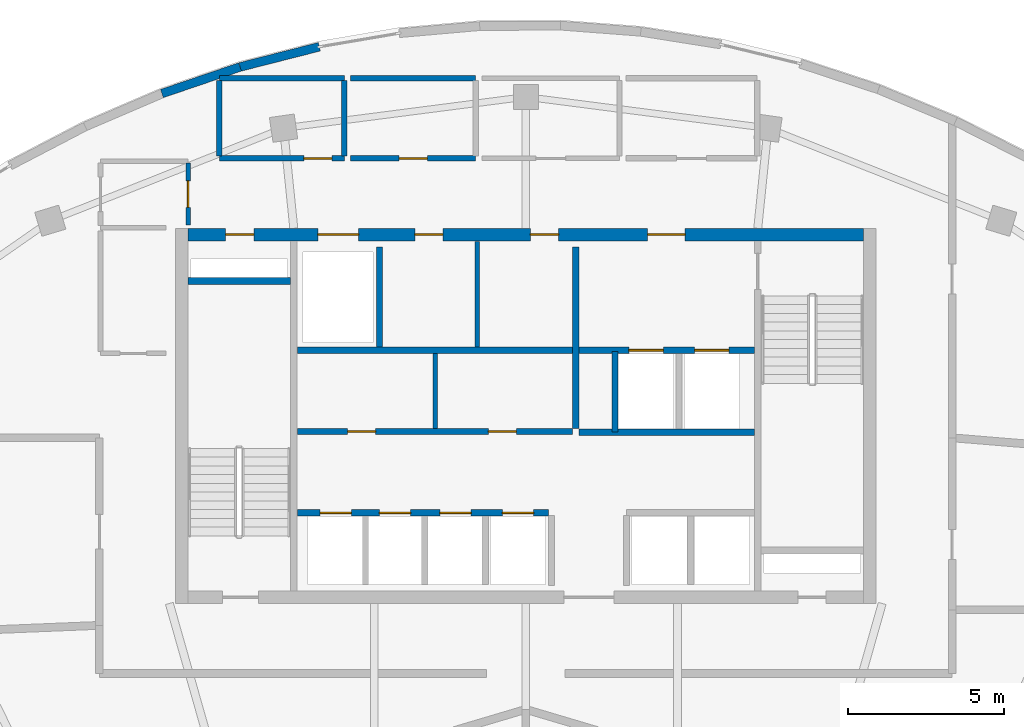
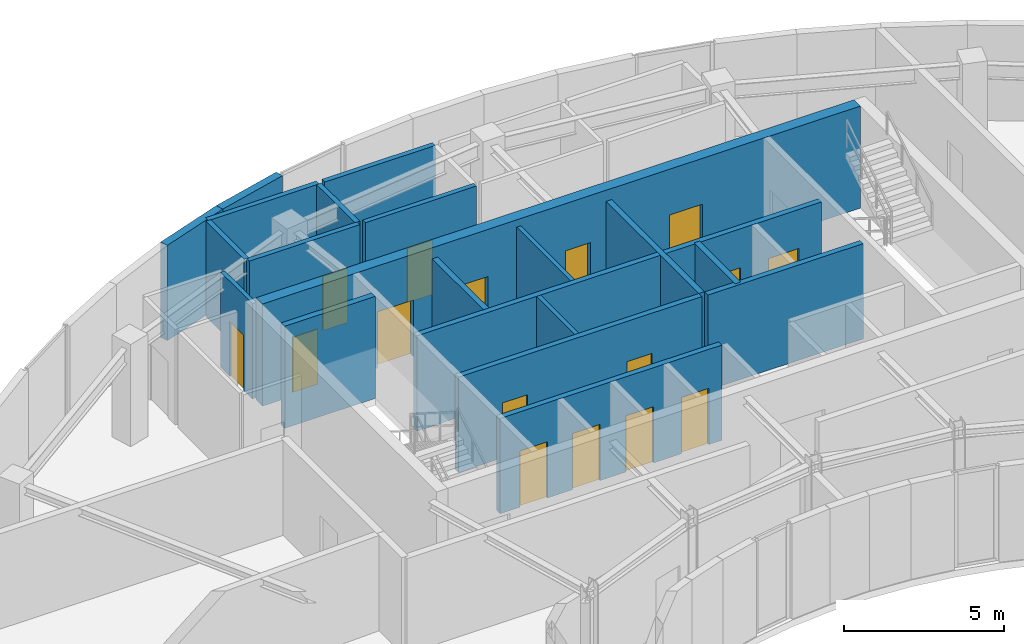
# One storey, part 6 of 9: 21 walls, 16 doors, 16 openings.
"""IFC4 building model written with IfcOpenShell, lengths in metres."""

from ifc_helpers import new_model, si_unit, direction, frame, frame_2d, origin, place, context, subcontext, project, spatial, rectangle, extrude, source, transform, mapped, material, layer, layer_set, type_object, type_shapes, element, fill, save


model = new_model("IFC4")

# Units and contexts
model_context = context("Model", 3, precision=1e-05, world=origin(), true_north=direction((0.0, 1.0)))
body_context = subcontext(model_context, "Body", "Model", "MODEL_VIEW")
ifc_project = project(units=[si_unit("LENGTHUNIT", "METRE"), si_unit("AREAUNIT", "SQUARE_METRE"), si_unit("VOLUMEUNIT", "CUBIC_METRE"), si_unit("PLANEANGLEUNIT", "RADIAN"), si_unit("MASSUNIT", "GRAM", prefix="KILO")], contexts=[model_context])

# Site, building, storey
site_placement = place(None, origin())
site = spatial("IfcSite", under=ifc_project, at=site_placement, CompositionType="ELEMENT")
building_placement = place(site_placement, origin())
building = spatial("IfcBuilding", under=site, at=building_placement, Name="Breltana Convention Tower", CompositionType="ELEMENT")
storey_placement = place(building_placement, frame((0.0, 0.0, 299.10009765625)))
storey = spatial("IfcBuildingStorey", under=building, at=storey_placement, Name="L73", CompositionType="ELEMENT", Elevation=299.10009765625)

# Wall
ifc_material_1 = material(Name="Concrete C50/60", Category="concrete")
ifc_layer_1 = layer(ifc_material_1, 0.39990234375, Name="Concrete C50/60")
ifc_layer_set_1 = layer_set([ifc_layer_1], Name="Concrete C50/60")
wall_type_1 = type_object("IfcWallType", Name="SW-CORE-400", PredefinedType="SHEAR", material=ifc_layer_set_1)
shared_shape_1 = source(origin(), body_context, "Body", "SweptSolid", [
    extrude(rectangle(XDim=3.27001953125, YDim=0.219970703125, at=frame_2d((1.635009765625, 0.0))), origin(), (0.0, 0.0, 1.0), 3.89990234375),
])
wall_1_placement = place(storey_placement, frame((37.199951171875, 70.510009765625, 0.0), z_axis=(0.0, 0.0, 1.0), x_axis=(1.0, 0.0, 0.0)))
element("IfcWall", 1, at=wall_1_placement, inside=storey, type_object=wall_type_1, Name="L73 ST-1 Stairwell North Bearing Wall", PredefinedType="SHEAR", context=body_context, shape_type="MappedRepresentation", body=[
    mapped(shared_shape_1, transform((0.0, 0.0, 0.0), scale=1.0)),
])

# Wall, openings, doors
shared_shape_2 = source(origin(), body_context, "Body", "SweptSolid", [
    extrude(rectangle(XDim=21.60009765625, YDim=0.39990234375, at=frame_2d((10.800048828125, 0.0))), origin(), (0.0, 0.0, 1.0), 3.89990234375),
])
wall_2_placement = place(storey_placement, frame((37.199951171875, 72.0, 0.0), z_axis=(0.0, 0.0, 1.0), x_axis=(1.0, 0.0, 0.0)))
wall_2 = element("IfcWall", 2, at=wall_2_placement, inside=storey, type_object=wall_type_1, Name="L73 North Core Shear Wall", PredefinedType="SHEAR", context=body_context, shape_type="MappedRepresentation", body=[
    mapped(shared_shape_2, transform((0.0, 0.0, 0.0), scale=1.0)),
])
opening_1_placement = place(wall_2_placement, frame((1.199951171875, 0.0, 0.0)))
opening_1 = element("IfcOpeningElement", 3, at=opening_1_placement, cuts=wall_2, Name="Opening D-18", PredefinedType="OPENING", context=body_context, shape_type="SweptSolid", body=[
    extrude(rectangle(XDim=0.89990234375, YDim=2.10009765625, at=frame_2d((0.449951171875, 1.050048828125))), frame((0.0, 0.2099609375, 0.0), z_axis=(0.0, -1.0, 0.0), x_axis=(1.0, 0.0, 0.0)), (0.0, 0.0, 1.0), 0.419921875),
])
opening_2_placement = place(wall_2_placement, frame((14.699951171875, 0.0, 0.0)))
opening_2 = element("IfcOpeningElement", 4, at=opening_2_placement, cuts=wall_2, Name="Opening D-09", PredefinedType="OPENING", context=body_context, shape_type="SweptSolid", body=[
    extrude(rectangle(XDim=1.199951171875, YDim=2.14990234375, at=frame_2d((0.60009765625, 1.074951171875))), frame((0.0, 0.2099609375, 0.0), z_axis=(0.0, -1.0, 0.0), x_axis=(1.0, 0.0, 0.0)), (0.0, 0.0, 1.0), 0.419921875),
])
opening_3_placement = place(wall_2_placement, frame((4.14990234375, 0.0, 0.0)))
opening_3 = element("IfcOpeningElement", 5, at=opening_3_placement, cuts=wall_2, Name="Opening LD-01", PredefinedType="OPENING", context=body_context, shape_type="SweptSolid", body=[
    extrude(rectangle(XDim=1.300048828125, YDim=2.14990234375, at=frame_2d((0.64990234375, 1.074951171875))), frame((0.0, 0.2099609375, 0.0), z_axis=(0.0, -1.0, 0.0), x_axis=(1.0, 0.0, 0.0)), (0.0, 0.0, 1.0), 0.419921875),
])
opening_4_placement = place(wall_2_placement, frame((7.25, 0.0, 0.0)))
opening_4 = element("IfcOpeningElement", 6, at=opening_4_placement, cuts=wall_2, Name="Opening D-18", PredefinedType="OPENING", context=body_context, shape_type="SweptSolid", body=[
    extrude(rectangle(XDim=0.89990234375, YDim=2.10009765625, at=frame_2d((0.449951171875, 1.050048828125))), frame((0.0, 0.2099609375, 0.0), z_axis=(0.0, -1.0, 0.0), x_axis=(1.0, 0.0, 0.0)), (0.0, 0.0, 1.0), 0.419921875),
])
opening_5_placement = place(wall_2_placement, frame((10.949951171875, 0.0, 0.0)))
opening_5 = element("IfcOpeningElement", 7, at=opening_5_placement, cuts=wall_2, Name="Opening D-18", PredefinedType="OPENING", context=body_context, shape_type="SweptSolid", body=[
    extrude(rectangle(XDim=0.89990234375, YDim=2.10009765625, at=frame_2d((0.449951171875, 1.050048828125))), frame((0.0, 0.2099609375, 0.0), z_axis=(0.0, -1.0, 0.0), x_axis=(1.0, 0.0, 0.0)), (0.0, 0.0, 1.0), 0.419921875),
])
ifc_material_2 = material(Name="Steel Riser Fire Door", Category="steel")
door_type_1 = type_object("IfcDoorType", Name="DR-FD60-900", OperationType="NOTDEFINED", PredefinedType="DOOR", material=ifc_material_2)
shared_shape_3 = source(origin(), body_context, "Body", "SweptSolid", [
    extrude(rectangle(XDim=0.89990234375, YDim=2.10009765625, at=frame_2d((0.449951171875, 1.050048828125))), frame((0.0, 0.02490234375, 0.0), z_axis=(0.0, -1.0, 0.0), x_axis=(1.0, 0.0, 0.0)), (0.0, 0.0, 1.0), 0.050048828125),
])
type_shapes(door_type_1, [shared_shape_3])
door_1_placement = place(opening_1_placement, origin())
door_1 = element("IfcDoor", 8, at=door_1_placement, inside=storey, type_object=door_type_1, Name="L73 Core Riser Access Door D-L73-RS1", OperationType="SINGLE_SWING_LEFT", OverallHeight=2.10009765625, OverallWidth=0.89990234375, PredefinedType="DOOR", context=body_context, shape_type="MappedRepresentation", body=[
    mapped(shared_shape_3, transform((0.0, 0.0, 0.0), scale=1.0)),
])
fill(opening_1, door_1)
door_2_placement = place(opening_4_placement, origin())
door_2 = element("IfcDoor", 9, at=door_2_placement, inside=storey, type_object=door_type_1, Name="L73 interior door D-L73-CRA1", OperationType="SINGLE_SWING_LEFT", OverallHeight=2.10009765625, OverallWidth=0.89990234375, PredefinedType="DOOR", context=body_context, shape_type="MappedRepresentation", body=[
    mapped(shared_shape_3, transform((0.0, 0.0, 0.0), scale=1.0)),
])
fill(opening_4, door_2)
door_3_placement = place(opening_5_placement, origin())
door_3 = element("IfcDoor", 10, at=door_3_placement, inside=storey, type_object=door_type_1, Name="L73 interior door D-L73-CRA2", OperationType="SINGLE_SWING_RIGHT", OverallHeight=2.10009765625, OverallWidth=0.89990234375, PredefinedType="DOOR", context=body_context, shape_type="MappedRepresentation", body=[
    mapped(shared_shape_3, transform((0.0, 0.0, 0.0), scale=1.0)),
])
fill(opening_5, door_3)
ifc_material_3 = material(Name="Steel Fire Lobby Door", Category="steel")
door_type_2 = type_object("IfcDoorType", Name="DR-FD120-1200", OperationType="NOTDEFINED", PredefinedType="DOOR", material=ifc_material_3)
shared_shape_4 = source(origin(), body_context, "Body", "SweptSolid", [
    extrude(rectangle(XDim=1.199951171875, YDim=2.14990234375, at=frame_2d((0.60009765625, 1.074951171875))), frame((0.0, 0.02490234375, 0.0), z_axis=(0.0, -1.0, 0.0), x_axis=(1.0, 0.0, 0.0)), (0.0, 0.0, 1.0), 0.050048828125),
])
type_shapes(door_type_2, [shared_shape_4])
door_4_placement = place(opening_2_placement, origin())
door_4 = element("IfcDoor", 11, at=door_4_placement, inside=storey, type_object=door_type_2, Name="L73 interior door D-L73-FFL-N", OperationType="SINGLE_SWING_RIGHT", OverallHeight=2.14990234375, OverallWidth=1.199951171875, PredefinedType="DOOR", context=body_context, shape_type="MappedRepresentation", body=[
    mapped(shared_shape_4, transform((0.0, 0.0, 0.0), scale=1.0)),
])
fill(opening_2, door_4)
ifc_material_4 = material(Name="Stainless Steel Brushed", Category="steel")
door_type_3 = type_object("IfcDoorType", Name="DR-LD-SRV-1300", OperationType="DOUBLE_DOOR_SLIDING", PredefinedType="DOOR", material=ifc_material_4)
shared_shape_5 = source(origin(), body_context, "Body", "SweptSolid", [
    extrude(rectangle(XDim=1.300048828125, YDim=2.14990234375, at=frame_2d((0.64990234375, 1.074951171875))), frame((0.0, 0.02490234375, 0.0), z_axis=(0.0, -1.0, 0.0), x_axis=(1.0, 0.0, 0.0)), (0.0, 0.0, 1.0), 0.050048828125),
])
type_shapes(door_type_3, [shared_shape_5])
door_5_placement = place(opening_3_placement, origin())
door_5 = element("IfcDoor", 12, at=door_5_placement, inside=storey, type_object=door_type_3, Name="L73 Lift Landing Door D-L73-LD-SV1", OperationType="DOUBLE_DOOR_SLIDING", OverallHeight=2.14990234375, OverallWidth=1.300048828125, PredefinedType="DOOR", context=body_context, shape_type="MappedRepresentation", body=[
    mapped(shared_shape_5, transform((0.0, 0.0, 0.0), scale=1.0)),
])
fill(opening_3, door_5)

# Walls
ifc_material_5 = material(Name="Limestone Buff Insulated Wall", Category="masonry")
ifc_layer_2 = layer(ifc_material_5, 0.280029296875, Name="Limestone Buff Insulated Wall")
ifc_layer_set_2 = layer_set([ifc_layer_2], Name="Limestone Buff Insulated Wall")
wall_type_2 = type_object("IfcWallType", Name="WL-EXT-NOSE-280", PredefinedType="SOLIDWALL", material=ifc_layer_set_2)
shared_shape_6 = source(origin(), body_context, "Body", "SweptSolid", [
    extrude(rectangle(XDim=2.640380859375, YDim=0.280029296875, at=frame_2d((1.3203125, 0.0))), origin(), (0.0, 0.0, 1.0), 3.639892578125),
])
wall_3_placement = place(storey_placement, frame((36.36376953125, 76.51123046875, 0.0), z_axis=(0.0, 0.0, 1.0), x_axis=(0.946685911962, 0.322158011064, 0.0)))
element("IfcWall", 13, at=wall_3_placement, inside=storey, type_object=wall_type_2, Name="L73 curved limestone nose wall E23", PredefinedType="SOLIDWALL", context=body_context, shape_type="MappedRepresentation", body=[
    mapped(shared_shape_6, transform((0.0, 0.0, 0.0), scale=1.0)),
])
shared_shape_7 = source(origin(), body_context, "Body", "SweptSolid", [
    extrude(rectangle(XDim=2.6142578125, YDim=0.280029296875, at=frame_2d((1.30712890625, 0.0))), origin(), (0.0, 0.0, 1.0), 3.639892578125),
])
wall_4_placement = place(storey_placement, frame((38.86328125, 77.36181640625, 0.0), z_axis=(0.0, 0.0, 1.0), x_axis=(0.969106509315, 0.246642602978, 0.0)))
element("IfcWall", 14, at=wall_4_placement, inside=storey, type_object=wall_type_2, Name="L73 curved limestone nose wall E24", PredefinedType="SOLIDWALL", context=body_context, shape_type="MappedRepresentation", body=[
    mapped(shared_shape_7, transform((0.0, 0.0, 0.0), scale=1.0)),
])

# Wall, openings, doors
ifc_material_6 = material(Name="Autoclaved Aerated Concrete Block", Category="concrete")
ifc_layer_3 = layer(ifc_material_6, 0.199951171875, Name="Autoclaved Aerated Concrete Block")
ifc_layer_set_3 = layer_set([ifc_layer_3], Name="Autoclaved Aerated Concrete Block")
wall_type_3 = type_object("IfcWallType", Name="WL-SHAFT-200", PredefinedType="SOLIDWALL", material=ifc_layer_set_3)
shared_shape_8 = source(origin(), body_context, "Body", "SweptSolid", [
    extrude(rectangle(XDim=5.6201171875, YDim=0.199951171875, at=frame_2d((2.81005859375, 0.0))), origin(), (0.0, 0.0, 1.0), 3.639892578125),
])
wall_5_placement = place(storey_placement, frame((49.699951171875, 68.300048828125, 0.0), z_axis=(0.0, 0.0, 1.0), x_axis=(1.0, 0.0, 0.0)))
wall_5 = element("IfcWall", 15, at=wall_5_placement, inside=storey, type_object=wall_type_3, Name="L73 interior partition W-L73-FFL-S", PredefinedType="SOLIDWALL", context=body_context, shape_type="MappedRepresentation", body=[
    mapped(shared_shape_8, transform((0.0, 0.0, 0.0), scale=1.0)),
])
opening_6_placement = place(wall_5_placement, frame((1.60009765625, 0.0, 0.0)))
opening_6 = element("IfcOpeningElement", 16, at=opening_6_placement, cuts=wall_5, Name="Opening LD-03", PredefinedType="OPENING", context=body_context, shape_type="SweptSolid", body=[
    extrude(rectangle(XDim=1.10009765625, YDim=2.14990234375, at=frame_2d((0.550048828125, 1.074951171875))), frame((0.0, 0.10986328125, 0.0), z_axis=(0.0, -1.0, 0.0), x_axis=(1.0, 0.0, 0.0)), (0.0, 0.0, 1.0), 0.219970703125),
])
opening_7_placement = place(wall_5_placement, frame((3.699951171875, 0.0, 0.0)))
opening_7 = element("IfcOpeningElement", 17, at=opening_7_placement, cuts=wall_5, Name="Opening LD-03", PredefinedType="OPENING", context=body_context, shape_type="SweptSolid", body=[
    extrude(rectangle(XDim=1.10009765625, YDim=2.14990234375, at=frame_2d((0.550048828125, 1.074951171875))), frame((0.0, 0.10986328125, 0.0), z_axis=(0.0, -1.0, 0.0), x_axis=(1.0, 0.0, 0.0)), (0.0, 0.0, 1.0), 0.219970703125),
])
door_type_4 = type_object("IfcDoorType", Name="DR-LD-FF-1100", OperationType="DOUBLE_DOOR_SLIDING", PredefinedType="DOOR", material=ifc_material_4)
shared_shape_9 = source(origin(), body_context, "Body", "SweptSolid", [
    extrude(rectangle(XDim=1.10009765625, YDim=2.14990234375, at=frame_2d((0.550048828125, 1.074951171875))), frame((0.0, 0.02490234375, 0.0), z_axis=(0.0, -1.0, 0.0), x_axis=(1.0, 0.0, 0.0)), (0.0, 0.0, 1.0), 0.050048828125),
])
type_shapes(door_type_4, [shared_shape_9])
door_6_placement = place(opening_6_placement, origin())
door_6 = element("IfcDoor", 18, at=door_6_placement, inside=storey, type_object=door_type_4, Name="L73 Lift Landing Door D-L73-LD-FL1", OperationType="DOUBLE_DOOR_SLIDING", OverallHeight=2.14990234375, OverallWidth=1.10009765625, PredefinedType="DOOR", context=body_context, shape_type="MappedRepresentation", body=[
    mapped(shared_shape_9, transform((0.0, 0.0, 0.0), scale=1.0)),
])
fill(opening_6, door_6)
door_7_placement = place(opening_7_placement, origin())
door_7 = element("IfcDoor", 19, at=door_7_placement, inside=storey, type_object=door_type_4, Name="L73 Lift Landing Door D-L73-LD-FL2", OperationType="DOUBLE_DOOR_SLIDING", OverallHeight=2.14990234375, OverallWidth=1.10009765625, PredefinedType="DOOR", context=body_context, shape_type="MappedRepresentation", body=[
    mapped(shared_shape_9, transform((0.0, 0.0, 0.0), scale=1.0)),
])
fill(opening_7, door_7)

# Walls
wall_6_placement = place(storey_placement, frame((49.699951171875, 65.679931640625, 0.0), z_axis=(0.0, 0.0, 1.0), x_axis=(1.0, 0.0, 0.0)))
element("IfcWall", 20, at=wall_6_placement, inside=storey, type_object=wall_type_3, Name="L73 interior partition W-L73-FL-S", PredefinedType="SOLIDWALL", context=body_context, shape_type="MappedRepresentation", body=[
    mapped(shared_shape_8, transform((0.0, 0.0, 0.0), scale=1.0)),
])
shared_shape_10 = source(origin(), body_context, "Body", "SweptSolid", [
    extrude(rectangle(XDim=5.800048828125, YDim=0.199951171875, at=frame_2d((2.89990234375, 0.0))), origin(), (0.0, 0.0, 1.0), 3.639892578125),
])
wall_7_placement = place(storey_placement, frame((49.60009765625, 65.800048828125, 0.0), z_axis=(0.0, 0.0, 1.0), x_axis=(0.0, 1.0, 0.0)))
element("IfcWall", 21, at=wall_7_placement, inside=storey, type_object=wall_type_3, Name="L73 interior partition W-L73-FFL-W", PredefinedType="SOLIDWALL", context=body_context, shape_type="MappedRepresentation", body=[
    mapped(shared_shape_10, transform((0.0, 0.0, 0.0), scale=1.0)),
])
shared_shape_11 = source(origin(), body_context, "Body", "SweptSolid", [
    extrude(rectangle(XDim=2.580078125, YDim=0.199951171875, at=frame_2d((1.2900390625, 0.0))), origin(), (0.0, 0.0, 1.0), 3.639892578125),
])
wall_8_placement = place(storey_placement, frame((50.85009765625, 65.679931640625, 0.0), z_axis=(0.0, 0.0, 1.0), x_axis=(0.0, 1.0, 0.0)))
element("IfcWall", 22, at=wall_8_placement, inside=storey, type_object=wall_type_3, Name="L73 interior partition W-L73-FL-W", PredefinedType="SOLIDWALL", context=body_context, shape_type="MappedRepresentation", body=[
    mapped(shared_shape_11, transform((0.0, 0.0, 0.0), scale=1.0)),
])
shared_shape_12 = source(origin(), body_context, "Body", "SweptSolid", [
    extrude(rectangle(XDim=3.2001953125, YDim=0.199951171875, at=frame_2d((1.60009765625, 0.0))), origin(), (0.0, 0.0, 1.0), 3.639892578125),
])
wall_9_placement = place(storey_placement, frame((43.320068359375, 68.39990234375, 0.0), z_axis=(0.0, 0.0, 1.0), x_axis=(0.0, 1.0, 0.0)))
element("IfcWall", 23, at=wall_9_placement, inside=storey, type_object=wall_type_3, Name="L73 interior partition W-L73-SV-E", PredefinedType="SOLIDWALL", context=body_context, shape_type="MappedRepresentation", body=[
    mapped(shared_shape_12, transform((0.0, 0.0, 0.0), scale=1.0)),
])
shared_shape_13 = source(origin(), body_context, "Body", "SweptSolid", [
    extrude(rectangle(XDim=8.800048828125, YDim=0.199951171875, at=frame_2d((4.39990234375, 0.0))), origin(), (0.0, 0.0, 1.0), 3.639892578125),
])
wall_10_placement = place(storey_placement, frame((40.699951171875, 68.300048828125, 0.0), z_axis=(0.0, 0.0, 1.0), x_axis=(1.0, 0.0, 0.0)))
element("IfcWall", 24, at=wall_10_placement, inside=storey, type_object=wall_type_3, Name="L73 interior partition W-L73-SV-S", PredefinedType="SOLIDWALL", context=body_context, shape_type="MappedRepresentation", body=[
    mapped(shared_shape_13, transform((0.0, 0.0, 0.0), scale=1.0)),
])

# Wall, openings, doors
wall_11_placement = place(storey_placement, frame((40.699951171875, 65.699951171875, 0.0), z_axis=(0.0, 0.0, 1.0), x_axis=(1.0, 0.0, 0.0)))
wall_11 = element("IfcWall", 25, at=wall_11_placement, inside=storey, type_object=wall_type_3, Name="L73 interior partition W-L73-SH-M-FRONT", PredefinedType="SOLIDWALL", context=body_context, shape_type="MappedRepresentation", body=[
    mapped(shared_shape_13, transform((0.0, 0.0, 0.0), scale=1.0)),
])
opening_8_placement = place(wall_11_placement, frame((1.60009765625, 0.0, 0.0)))
opening_8 = element("IfcOpeningElement", 26, at=opening_8_placement, cuts=wall_11, Name="Opening D-18", PredefinedType="OPENING", context=body_context, shape_type="SweptSolid", body=[
    extrude(rectangle(XDim=0.89990234375, YDim=2.10009765625, at=frame_2d((0.449951171875, 1.050048828125))), frame((0.0, 0.10986328125, 0.0), z_axis=(0.0, -1.0, 0.0), x_axis=(1.0, 0.0, 0.0)), (0.0, 0.0, 1.0), 0.219970703125),
])
opening_9_placement = place(wall_11_placement, frame((6.10009765625, 0.0, 0.0)))
opening_9 = element("IfcOpeningElement", 27, at=opening_9_placement, cuts=wall_11, Name="Opening D-18", PredefinedType="OPENING", context=body_context, shape_type="SweptSolid", body=[
    extrude(rectangle(XDim=0.89990234375, YDim=2.10009765625, at=frame_2d((0.449951171875, 1.050048828125))), frame((0.0, 0.10986328125, 0.0), z_axis=(0.0, -1.0, 0.0), x_axis=(1.0, 0.0, 0.0)), (0.0, 0.0, 1.0), 0.219970703125),
])
door_8_placement = place(opening_8_placement, origin())
door_8 = element("IfcDoor", 28, at=door_8_placement, inside=storey, type_object=door_type_1, Name="L73 interior door D-L73-LV7-B2A", OperationType="SINGLE_SWING_LEFT", OverallHeight=2.10009765625, OverallWidth=0.89990234375, PredefinedType="DOOR", context=body_context, shape_type="MappedRepresentation", body=[
    mapped(shared_shape_3, transform((0.0, 0.0, 0.0), scale=1.0)),
])
fill(opening_8, door_8)
door_9_placement = place(opening_9_placement, origin())
door_9 = element("IfcDoor", 29, at=door_9_placement, inside=storey, type_object=door_type_1, Name="L73 interior door D-L73-LV7-B2B", OperationType="SINGLE_SWING_RIGHT", OverallHeight=2.10009765625, OverallWidth=0.89990234375, PredefinedType="DOOR", context=body_context, shape_type="MappedRepresentation", body=[
    mapped(shared_shape_3, transform((0.0, 0.0, 0.0), scale=1.0)),
])
fill(opening_9, door_9)

shared_shape_14 = source(origin(), body_context, "Body", "SweptSolid", [
    extrude(rectangle(XDim=8.02001953125, YDim=0.199951171875, at=frame_2d((4.010009765625, 0.0))), origin(), (0.0, 0.0, 1.0), 3.639892578125),
])
wall_12_placement = place(storey_placement, frame((40.699951171875, 63.10009765625, 0.0), z_axis=(0.0, 0.0, 1.0), x_axis=(1.0, 0.0, 0.0)))
wall_12 = element("IfcWall", 30, at=wall_12_placement, inside=storey, type_object=wall_type_3, Name="L73 interior partition W-L73-SH-S-FRONT", PredefinedType="SOLIDWALL", context=body_context, shape_type="MappedRepresentation", body=[
    mapped(shared_shape_14, transform((0.0, 0.0, 0.0), scale=1.0)),
])
opening_10_placement = place(wall_12_placement, frame((0.719970703125, 0.0, 0.0)))
opening_10 = element("IfcOpeningElement", 31, at=opening_10_placement, cuts=wall_12, Name="Opening LD-04", PredefinedType="OPENING", context=body_context, shape_type="SweptSolid", body=[
    extrude(rectangle(XDim=1.0, YDim=2.14990234375, at=frame_2d((0.5, 1.074951171875))), frame((0.0, 0.10986328125, 0.0), z_axis=(0.0, -1.0, 0.0), x_axis=(1.0, 0.0, 0.0)), (0.0, 0.0, 1.0), 0.219970703125),
])
opening_11_placement = place(wall_12_placement, frame((2.6201171875, 0.0, 0.0)))
opening_11 = element("IfcOpeningElement", 32, at=opening_11_placement, cuts=wall_12, Name="Opening LD-04", PredefinedType="OPENING", context=body_context, shape_type="SweptSolid", body=[
    extrude(rectangle(XDim=1.0, YDim=2.14990234375, at=frame_2d((0.5, 1.074951171875))), frame((0.0, 0.10986328125, 0.0), z_axis=(0.0, -1.0, 0.0), x_axis=(1.0, 0.0, 0.0)), (0.0, 0.0, 1.0), 0.219970703125),
])
opening_12_placement = place(wall_12_placement, frame((4.550048828125, 0.0, 0.0)))
opening_12 = element("IfcOpeningElement", 33, at=opening_12_placement, cuts=wall_12, Name="Opening LD-04", PredefinedType="OPENING", context=body_context, shape_type="SweptSolid", body=[
    extrude(rectangle(XDim=1.0, YDim=2.14990234375, at=frame_2d((0.5, 1.074951171875))), frame((0.0, 0.10986328125, 0.0), z_axis=(0.0, -1.0, 0.0), x_axis=(1.0, 0.0, 0.0)), (0.0, 0.0, 1.0), 0.219970703125),
])
opening_13_placement = place(wall_12_placement, frame((6.550048828125, 0.0, 0.0)))
opening_13 = element("IfcOpeningElement", 34, at=opening_13_placement, cuts=wall_12, Name="Opening LD-04", PredefinedType="OPENING", context=body_context, shape_type="SweptSolid", body=[
    extrude(rectangle(XDim=1.0, YDim=2.14990234375, at=frame_2d((0.5, 1.074951171875))), frame((0.0, 0.10986328125, 0.0), z_axis=(0.0, -1.0, 0.0), x_axis=(1.0, 0.0, 0.0)), (0.0, 0.0, 1.0), 0.219970703125),
])
door_type_5 = type_object("IfcDoorType", Name="DR-LD-PAX-1000", OperationType="DOUBLE_DOOR_SLIDING", PredefinedType="DOOR", material=ifc_material_4)
shared_shape_15 = source(origin(), body_context, "Body", "SweptSolid", [
    extrude(rectangle(XDim=1.0, YDim=2.14990234375, at=frame_2d((0.5, 1.074951171875))), frame((0.0, 0.02490234375, 0.0), z_axis=(0.0, -1.0, 0.0), x_axis=(1.0, 0.0, 0.0)), (0.0, 0.0, 1.0), 0.050048828125),
])
type_shapes(door_type_5, [shared_shape_15])
door_10_placement = place(opening_10_placement, origin())
door_10 = element("IfcDoor", 35, at=door_10_placement, inside=storey, type_object=door_type_5, Name="L73 Lift Landing Door D-L73-LD-S1", OperationType="DOUBLE_DOOR_SLIDING", OverallHeight=2.14990234375, OverallWidth=1.0, PredefinedType="DOOR", context=body_context, shape_type="MappedRepresentation", body=[
    mapped(shared_shape_15, transform((0.0, 0.0, 0.0), scale=1.0)),
])
fill(opening_10, door_10)
door_11_placement = place(opening_11_placement, origin())
door_11 = element("IfcDoor", 36, at=door_11_placement, inside=storey, type_object=door_type_5, Name="L73 Lift Landing Door D-L73-LD-S2", OperationType="DOUBLE_DOOR_SLIDING", OverallHeight=2.14990234375, OverallWidth=1.0, PredefinedType="DOOR", context=body_context, shape_type="MappedRepresentation", body=[
    mapped(shared_shape_15, transform((0.0, 0.0, 0.0), scale=1.0)),
])
fill(opening_11, door_11)
door_12_placement = place(opening_12_placement, origin())
door_12 = element("IfcDoor", 37, at=door_12_placement, inside=storey, type_object=door_type_5, Name="L73 Lift Landing Door D-L73-LD-S3", OperationType="DOUBLE_DOOR_SLIDING", OverallHeight=2.14990234375, OverallWidth=1.0, PredefinedType="DOOR", context=body_context, shape_type="MappedRepresentation", body=[
    mapped(shared_shape_15, transform((0.0, 0.0, 0.0), scale=1.0)),
])
fill(opening_12, door_12)
door_13_placement = place(opening_13_placement, origin())
door_13 = element("IfcDoor", 38, at=door_13_placement, inside=storey, type_object=door_type_5, Name="L73 Lift Landing Door D-L73-LD-S4", OperationType="DOUBLE_DOOR_SLIDING", OverallHeight=2.14990234375, OverallWidth=1.0, PredefinedType="DOOR", context=body_context, shape_type="MappedRepresentation", body=[
    mapped(shared_shape_15, transform((0.0, 0.0, 0.0), scale=1.0)),
])
fill(opening_13, door_13)

# Wall, opening, door
ifc_material_7 = material(Name="Gypsum Acoustic Drywall Partition")
ifc_layer_4 = layer(ifc_material_7, 0.14990234375, Name="Gypsum Acoustic Drywall Partition")
ifc_layer_set_4 = layer_set([ifc_layer_4], Name="Gypsum Acoustic Drywall Partition")
wall_type_4 = type_object("IfcWallType", Name="WL-PART-150", PredefinedType="PARTITIONING", material=ifc_layer_set_4)
shared_shape_16 = source(origin(), body_context, "Body", "SweptSolid", [
    extrude(rectangle(XDim=1.982421875, YDim=0.14990234375, at=frame_2d((0.9912109375, 0.0))), origin(), (0.0, 0.0, 1.0), 3.639892578125),
])
wall_13_placement = place(storey_placement, frame((37.199951171875, 72.300048828125, 0.0), z_axis=(0.0, 0.0, 1.0), x_axis=(0.0, 1.0, 0.0)))
wall_13 = element("IfcWall", 39, at=wall_13_placement, inside=storey, type_object=wall_type_4, Name="L73 interior partition W-L73-CRNW-E", PredefinedType="PARTITIONING", context=body_context, shape_type="MappedRepresentation", body=[
    mapped(shared_shape_16, transform((0.0, 0.0, 0.0), scale=1.0)),
])
opening_14_placement = place(wall_13_placement, frame((0.56640625, 0.0, 0.0)))
opening_14 = element("IfcOpeningElement", 40, at=opening_14_placement, cuts=wall_13, Name="Opening D-20", PredefinedType="OPENING", context=body_context, shape_type="SweptSolid", body=[
    extrude(rectangle(XDim=0.85009765625, YDim=2.10009765625, at=frame_2d((0.425048828125, 1.050048828125))), frame((0.0, 0.0849609375, 0.0), z_axis=(0.0, -1.0, 0.0), x_axis=(1.0, 0.0, 0.0)), (0.0, 0.0, 1.0), 0.169921875),
])
ifc_material_8 = material(Name="Steel Closet Fire Door", Category="steel")
door_type_6 = type_object("IfcDoorType", Name="DR-FD60-850", OperationType="NOTDEFINED", PredefinedType="DOOR", material=ifc_material_8)
shared_shape_17 = source(origin(), body_context, "Body", "SweptSolid", [
    extrude(rectangle(XDim=0.85009765625, YDim=2.10009765625, at=frame_2d((0.425048828125, 1.050048828125))), frame((0.0, 0.02490234375, 0.0), z_axis=(0.0, -1.0, 0.0), x_axis=(1.0, 0.0, 0.0)), (0.0, 0.0, 1.0), 0.050048828125),
])
type_shapes(door_type_6, [shared_shape_17])
door_14_placement = place(opening_14_placement, origin())
door_14 = element("IfcDoor", 41, at=door_14_placement, inside=storey, type_object=door_type_6, Name="L73 interior door D-L73-CRNW", OperationType="SINGLE_SWING_LEFT", OverallHeight=2.10009765625, OverallWidth=0.85009765625, PredefinedType="DOOR", context=body_context, shape_type="MappedRepresentation", body=[
    mapped(shared_shape_17, transform((0.0, 0.0, 0.0), scale=1.0)),
])
fill(opening_14, door_14)

ifc_material_9 = material(Name="Cement Board Wet-Area Partition")
ifc_layer_5 = layer(ifc_material_9, 0.175048828125, Name="Cement Board Wet-Area Partition")
ifc_layer_set_5 = layer_set([ifc_layer_5], Name="Cement Board Wet-Area Partition")
wall_type_5 = type_object("IfcWallType", Name="WL-WET-175", PredefinedType="PARTITIONING", material=ifc_layer_set_5)
shared_shape_18 = source(origin(), body_context, "Body", "SweptSolid", [
    extrude(rectangle(XDim=4.0, YDim=0.175048828125, at=frame_2d((2.0, 0.0))), origin(), (0.0, 0.0, 1.0), 3.639892578125),
])
wall_14_placement = place(storey_placement, frame((38.199951171875, 74.43994140625, 0.0), z_axis=(0.0, 0.0, 1.0), x_axis=(1.0, 0.0, 0.0)))
wall_14 = element("IfcWall", 42, at=wall_14_placement, inside=storey, type_object=wall_type_5, Name="L73 interior partition W-L73-WCM-S", PredefinedType="PARTITIONING", context=body_context, shape_type="MappedRepresentation", body=[
    mapped(shared_shape_18, transform((0.0, 0.0, 0.0), scale=1.0)),
])
opening_15_placement = place(wall_14_placement, frame((2.699951171875, 0.0, 0.0)))
opening_15 = element("IfcOpeningElement", 43, at=opening_15_placement, cuts=wall_14, Name="Opening D-19", PredefinedType="OPENING", context=body_context, shape_type="SweptSolid", body=[
    extrude(rectangle(XDim=0.89990234375, YDim=2.080078125, at=frame_2d((0.449951171875, 1.0400390625))), frame((0.0, 0.09765625, 0.0), z_axis=(0.0, -1.0, 0.0), x_axis=(1.0, 0.0, 0.0)), (0.0, 0.0, 1.0), 0.195068359375),
])
ifc_material_10 = material(Name="Timber Moisture-Resistant Door", Category="wood")
door_type_7 = type_object("IfcDoorType", Name="DR-WC-900", OperationType="NOTDEFINED", PredefinedType="DOOR", material=ifc_material_10)
shared_shape_19 = source(origin(), body_context, "Body", "SweptSolid", [
    extrude(rectangle(XDim=0.89990234375, YDim=2.080078125, at=frame_2d((0.449951171875, 1.0400390625))), frame((0.0, 0.02490234375, 0.0), z_axis=(0.0, -1.0, 0.0), x_axis=(1.0, 0.0, 0.0)), (0.0, 0.0, 1.0), 0.050048828125),
])
type_shapes(door_type_7, [shared_shape_19])
door_15_placement = place(opening_15_placement, origin())
door_15 = element("IfcDoor", 44, at=door_15_placement, inside=storey, type_object=door_type_7, Name="L73 interior door D-L73-WCM", OperationType="SINGLE_SWING_LEFT", OverallHeight=2.080078125, OverallWidth=0.89990234375, PredefinedType="DOOR", context=body_context, shape_type="MappedRepresentation", body=[
    mapped(shared_shape_19, transform((0.0, 0.0, 0.0), scale=1.0)),
])
fill(opening_15, door_15)

wall_15_placement = place(storey_placement, frame((42.39990234375, 74.43994140625, 0.0), z_axis=(0.0, 0.0, 1.0), x_axis=(1.0, 0.0, 0.0)))
wall_15 = element("IfcWall", 45, at=wall_15_placement, inside=storey, type_object=wall_type_5, Name="L73 interior partition W-L73-WCF-S", PredefinedType="PARTITIONING", context=body_context, shape_type="MappedRepresentation", body=[
    mapped(shared_shape_18, transform((0.0, 0.0, 0.0), scale=1.0)),
])
opening_16_placement = place(wall_15_placement, frame((1.550048828125, 0.0, 0.0)))
opening_16 = element("IfcOpeningElement", 46, at=opening_16_placement, cuts=wall_15, Name="Opening D-19", PredefinedType="OPENING", context=body_context, shape_type="SweptSolid", body=[
    extrude(rectangle(XDim=0.89990234375, YDim=2.080078125, at=frame_2d((0.449951171875, 1.0400390625))), frame((0.0, 0.09765625, 0.0), z_axis=(0.0, -1.0, 0.0), x_axis=(1.0, 0.0, 0.0)), (0.0, 0.0, 1.0), 0.195068359375),
])
door_16_placement = place(opening_16_placement, origin())
door_16 = element("IfcDoor", 47, at=door_16_placement, inside=storey, type_object=door_type_7, Name="L73 interior door D-L73-WCF", OperationType="SINGLE_SWING_RIGHT", OverallHeight=2.080078125, OverallWidth=0.89990234375, PredefinedType="DOOR", context=body_context, shape_type="MappedRepresentation", body=[
    mapped(shared_shape_19, transform((0.0, 0.0, 0.0), scale=1.0)),
])
fill(opening_16, door_16)

# Walls
ifc_material_11 = material(Name="Moisture-Resistant Gypsum Chase Wall")
ifc_layer_6 = layer(ifc_material_11, 0.179931640625, Name="Moisture-Resistant Gypsum Chase Wall")
ifc_layer_set_6 = layer_set([ifc_layer_6], Name="Moisture-Resistant Gypsum Chase Wall")
wall_type_6 = type_object("IfcWallType", Name="WL-PLUMB-180", PredefinedType="PLUMBINGWALL", material=ifc_layer_set_6)
shared_shape_20 = source(origin(), body_context, "Body", "SweptSolid", [
    extrude(rectangle(XDim=4.0, YDim=0.179931640625, at=frame_2d((2.0, 0.0))), origin(), (0.0, 0.0, 1.0), 3.639892578125),
])
for number, where, z_axis, x_axis, name in (
    (48, (38.199951171875, 77.0, 0.0), (0.0, 0.0, 1.0), (1.0, 0.0, 0.0), "L73 interior partition W-L73-WCM-N"),
    (49, (42.39990234375, 77.0, 0.0), (0.0, 0.0, 1.0), (1.0, 0.0, 0.0), "L73 interior partition W-L73-WCF-N"),
):
    element("IfcWall", number, at=place(storey_placement, frame(where, z_axis=z_axis, x_axis=x_axis)), inside=storey, type_object=wall_type_6, Name=name, PredefinedType="PLUMBINGWALL", context=body_context, shape_type="MappedRepresentation", body=[
        mapped(shared_shape_20, transform((0.0, 0.0, 0.0), scale=1.0)),
    ])
shared_shape_21 = source(origin(), body_context, "Body", "SweptSolid", [
    extrude(rectangle(XDim=2.402587890625, YDim=0.175048828125, at=frame_2d((1.201171875, 0.0))), origin(), (0.0, 0.0, 1.0), 3.639892578125),
])
for number, where, z_axis, x_axis, name in (
    (50, (38.199951171875, 74.518798828125, 0.0), (0.0, 0.0, 1.0), (0.0, 1.0, 0.0), "L73 interior partition W-L73-WCM-W"),
    (51, (42.199951171875, 74.518798828125, 0.0), (0.0, 0.0, 1.0), (0.0, 1.0, 0.0), "L73 interior partition W-L73-WCM-E"),
):
    element("IfcWall", number, at=place(storey_placement, frame(where, z_axis=z_axis, x_axis=x_axis)), inside=storey, type_object=wall_type_5, Name=name, PredefinedType="PARTITIONING", context=body_context, shape_type="MappedRepresentation", body=[
        mapped(shared_shape_21, transform((0.0, 0.0, 0.0), scale=1.0)),
    ])
shared_shape_22 = source(origin(), body_context, "Body", "SweptSolid", [
    extrude(rectangle(XDim=2.39990234375, YDim=0.14990234375, at=frame_2d((1.199951171875, 0.0))), origin(), (0.0, 0.0, 1.0), 3.639892578125),
])
wall_16_placement = place(storey_placement, frame((45.10009765625, 65.800048828125, 0.0), z_axis=(0.0, 0.0, 1.0), x_axis=(0.0, 1.0, 0.0)))
element("IfcWall", 52, at=wall_16_placement, inside=storey, type_object=wall_type_4, Name="L73 interior partition W-L73-LV7-B2-DIV", PredefinedType="PARTITIONING", context=body_context, shape_type="MappedRepresentation", body=[
    mapped(shared_shape_22, transform((0.0, 0.0, 0.0), scale=1.0)),
])
shared_shape_23 = source(origin(), body_context, "Body", "SweptSolid", [
    extrude(rectangle(XDim=3.380126953125, YDim=0.14990234375, at=frame_2d((1.68994140625, 0.0))), origin(), (0.0, 0.0, 1.0), 3.639892578125),
])
wall_17_placement = place(storey_placement, frame((46.449951171875, 68.39990234375, 0.0), z_axis=(0.0, 0.0, 1.0), x_axis=(0.0, 1.0, 0.0)))
element("IfcWall", 53, at=wall_17_placement, inside=storey, type_object=wall_type_4, Name="L73 interior partition W-L73-KV-1", PredefinedType="PARTITIONING", context=body_context, shape_type="MappedRepresentation", body=[
    mapped(shared_shape_23, transform((0.0, 0.0, 0.0), scale=1.0)),
])

save(model, "model.ifc")
